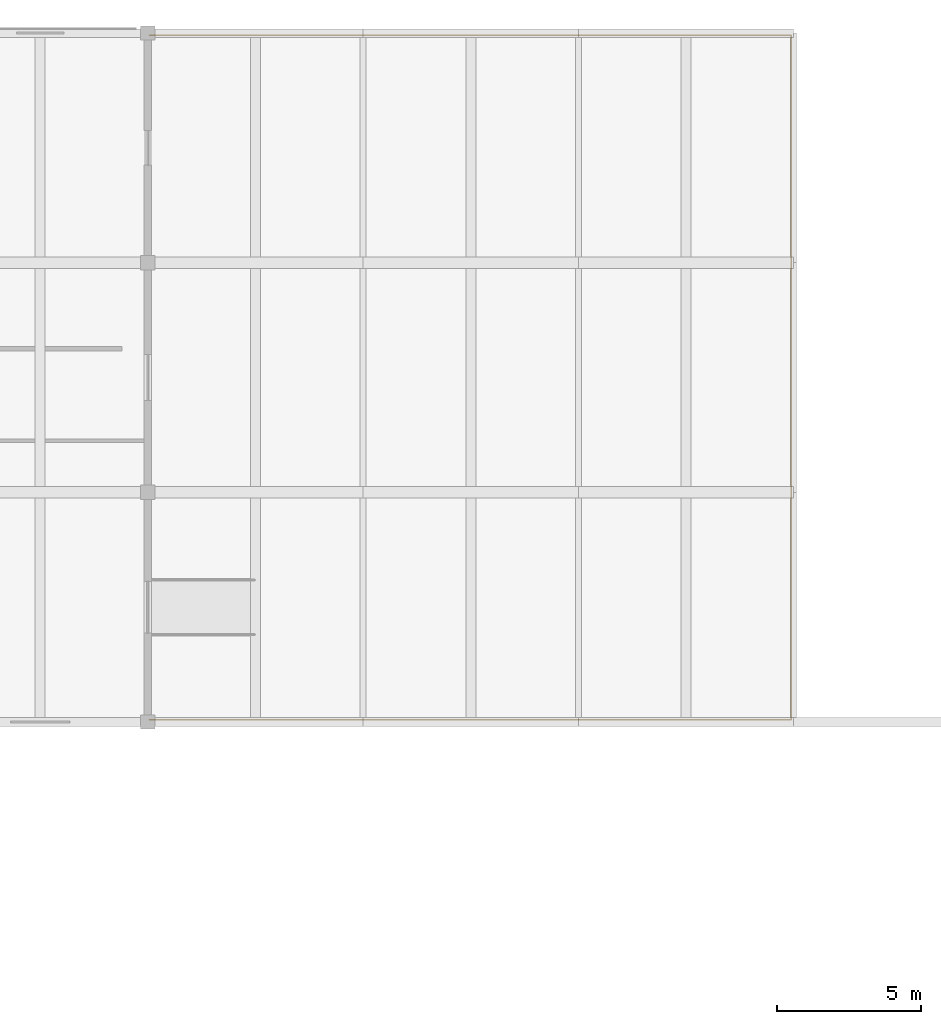
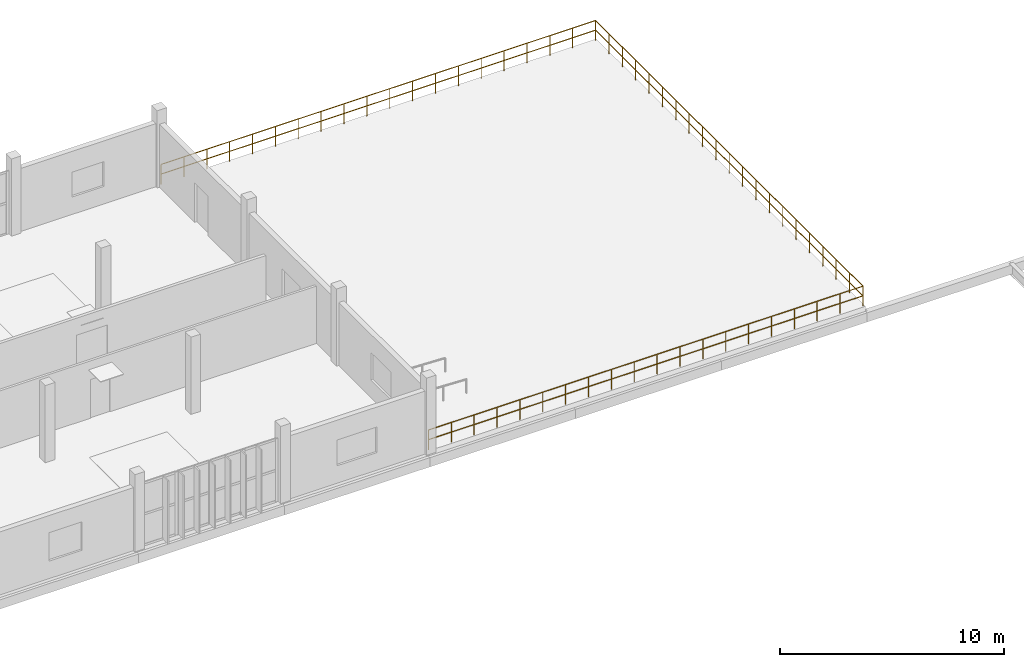
# One storey, part 27 of 27: 1 railing.
"""IFC4 building model written with IfcOpenShell, lengths in metres."""

from ifc_helpers import new_model, si_unit, direction, frame, origin, origin_2d, place, context, subcontext, project, spatial, circle, extrude, material, type_object, element, save


model = new_model("IFC4")

# Units and contexts
model_context = context("Model", 3, precision=1e-05, world=origin(), true_north=direction((0.0, 1.0)))
body_context = subcontext(model_context, "Body", "Model", "MODEL_VIEW")
ifc_project = project(units=[si_unit("LENGTHUNIT", "METRE"), si_unit("AREAUNIT", "SQUARE_METRE"), si_unit("VOLUMEUNIT", "CUBIC_METRE"), si_unit("PLANEANGLEUNIT", "RADIAN"), si_unit("MASSUNIT", "GRAM", prefix="KILO")], contexts=[model_context])

# Site, building, storey
site_placement = place(None, origin())
site = spatial("IfcSite", under=ifc_project, at=site_placement, CompositionType="ELEMENT")
building_placement = place(site_placement, origin())
building = spatial("IfcBuilding", under=site, at=building_placement, Name="Vourika Railside Aquatics Centre", CompositionType="ELEMENT")
storey_placement = place(building_placement, frame((0.0, 0.0, 13.5)))
storey = spatial("IfcBuildingStorey", under=building, at=storey_placement, Name="L03", CompositionType="ELEMENT", Elevation=13.5)

# Railing
ifc_material = material(Name="Duplex stainless steel EN 1.4462", Category="steel")
railing_type = type_object("IfcRailingType", Name="RL-BAL-GLS110", PredefinedType="BALUSTRADE", material=ifc_material)
railing_placement = place(storey_placement, frame((111.050048828125, 92.080078125, 0.0)))
element("IfcRailing", 1, at=railing_placement, inside=storey, type_object=railing_type, Name="L03 Terrace Perimeter Balustrade", PredefinedType="BALUSTRADE", context=body_context, shape_type="SweptSolid", body=[
    extrude(circle(Radius=0.02392578125, at=origin_2d()), frame((0.0, 0.0, 1.076171875), z_axis=(1.0, 0.0, 0.0), x_axis=(0.0, 1.0, 0.0)), (0.0, 0.0, 1.0), 22.369873046875),
    extrude(circle(Radius=0.02392578125, at=origin_2d()), frame((0.0, 0.0, 0.550048828125), z_axis=(1.0, 0.0, 0.0), x_axis=(0.0, 1.0, 0.0)), (0.0, 0.0, 1.0), 22.369873046875),
    extrude(circle(Radius=0.02392578125, at=origin_2d()), frame((22.369873046875, 0.0, 1.076171875), z_axis=(0.0, 1.0, 0.0), x_axis=(-1.0, 0.0, 0.0)), (0.0, 0.0, 1.0), 23.83984375),
    extrude(circle(Radius=0.02392578125, at=origin_2d()), frame((22.369873046875, 0.0, 0.550048828125), z_axis=(0.0, 1.0, 0.0), x_axis=(-1.0, 0.0, 0.0)), (0.0, 0.0, 1.0), 23.83984375),
    extrude(circle(Radius=0.02392578125, at=origin_2d()), frame((22.369873046875, 23.83984375, 1.076171875), z_axis=(-1.0, 0.0, 0.0), x_axis=(0.0, -1.0, 0.0)), (0.0, 0.0, 1.0), 22.369873046875),
    extrude(circle(Radius=0.02392578125, at=origin_2d()), frame((22.369873046875, 23.83984375, 0.550048828125), z_axis=(-1.0, 0.0, 0.0), x_axis=(0.0, -1.0, 0.0)), (0.0, 0.0, 1.0), 22.369873046875),
    extrude(circle(Radius=0.02099609375, at=origin_2d()), origin(), (0.0, 0.0, 1.0), 1.052001953125),
    extrude(circle(Radius=0.02099609375, at=origin_2d()), frame((1.17724609375, 0.0, 0.0)), (0.0, 0.0, 1.0), 1.052001953125),
    extrude(circle(Radius=0.02099609375, at=origin_2d()), frame((2.354736328125, 0.0, 0.0)), (0.0, 0.0, 1.0), 1.052001953125),
    extrude(circle(Radius=0.02099609375, at=origin_2d()), frame((3.531982421875, 0.0, 0.0)), (0.0, 0.0, 1.0), 1.052001953125),
    extrude(circle(Radius=0.02099609375, at=origin_2d()), frame((4.70947265625, 0.0, 0.0)), (0.0, 0.0, 1.0), 1.052001953125),
    extrude(circle(Radius=0.02099609375, at=origin_2d()), frame((5.88671875, 0.0, 0.0)), (0.0, 0.0, 1.0), 1.052001953125),
    extrude(circle(Radius=0.02099609375, at=origin_2d()), frame((7.064208984375, 0.0, 0.0)), (0.0, 0.0, 1.0), 1.052001953125),
    extrude(circle(Radius=0.02099609375, at=origin_2d()), frame((8.241455078125, 0.0, 0.0)), (0.0, 0.0, 1.0), 1.052001953125),
    extrude(circle(Radius=0.02099609375, at=origin_2d()), frame((9.4189453125, 0.0, 0.0)), (0.0, 0.0, 1.0), 1.052001953125),
    extrude(circle(Radius=0.02099609375, at=origin_2d()), frame((10.59619140625, 0.0, 0.0)), (0.0, 0.0, 1.0), 1.052001953125),
    extrude(circle(Radius=0.02099609375, at=origin_2d()), frame((11.773681640625, 0.0, 0.0)), (0.0, 0.0, 1.0), 1.052001953125),
    extrude(circle(Radius=0.02099609375, at=origin_2d()), frame((12.950927734375, 0.0, 0.0)), (0.0, 0.0, 1.0), 1.052001953125),
    extrude(circle(Radius=0.02099609375, at=origin_2d()), frame((14.12841796875, 0.0, 0.0)), (0.0, 0.0, 1.0), 1.052001953125),
    extrude(circle(Radius=0.02099609375, at=origin_2d()), frame((15.3056640625, 0.0, 0.0)), (0.0, 0.0, 1.0), 1.052001953125),
    extrude(circle(Radius=0.02099609375, at=origin_2d()), frame((16.483154296875, 0.0, 0.0)), (0.0, 0.0, 1.0), 1.052001953125),
    extrude(circle(Radius=0.02099609375, at=origin_2d()), frame((17.660400390625, 0.0, 0.0)), (0.0, 0.0, 1.0), 1.052001953125),
    extrude(circle(Radius=0.02099609375, at=origin_2d()), frame((18.837890625, 0.0, 0.0)), (0.0, 0.0, 1.0), 1.052001953125),
    extrude(circle(Radius=0.02099609375, at=origin_2d()), frame((20.01513671875, 0.0, 0.0)), (0.0, 0.0, 1.0), 1.052001953125),
    extrude(circle(Radius=0.02099609375, at=origin_2d()), frame((21.192626953125, 0.0, 0.0)), (0.0, 0.0, 1.0), 1.052001953125),
    extrude(circle(Radius=0.02099609375, at=origin_2d()), frame((22.369873046875, 0.0, 0.0)), (0.0, 0.0, 1.0), 1.052001953125),
    extrude(circle(Radius=0.02099609375, at=origin_2d()), frame((22.369873046875, 1.19189453125, 0.0)), (0.0, 0.0, 1.0), 1.052001953125),
    extrude(circle(Radius=0.02099609375, at=origin_2d()), frame((22.369873046875, 2.384033203125, 0.0)), (0.0, 0.0, 1.0), 1.052001953125),
    extrude(circle(Radius=0.02099609375, at=origin_2d()), frame((22.369873046875, 3.575927734375, 0.0)), (0.0, 0.0, 1.0), 1.052001953125),
    extrude(circle(Radius=0.02099609375, at=origin_2d()), frame((22.369873046875, 4.76806640625, 0.0)), (0.0, 0.0, 1.0), 1.052001953125),
    extrude(circle(Radius=0.02099609375, at=origin_2d()), frame((22.369873046875, 5.9599609375, 0.0)), (0.0, 0.0, 1.0), 1.052001953125),
    extrude(circle(Radius=0.02099609375, at=origin_2d()), frame((22.369873046875, 7.15185546875, 0.0)), (0.0, 0.0, 1.0), 1.052001953125),
    extrude(circle(Radius=0.02099609375, at=origin_2d()), frame((22.369873046875, 8.343994140625, 0.0)), (0.0, 0.0, 1.0), 1.052001953125),
    extrude(circle(Radius=0.02099609375, at=origin_2d()), frame((22.369873046875, 9.535888671875, 0.0)), (0.0, 0.0, 1.0), 1.052001953125),
    extrude(circle(Radius=0.02099609375, at=origin_2d()), frame((22.369873046875, 10.72802734375, 0.0)), (0.0, 0.0, 1.0), 1.052001953125),
    extrude(circle(Radius=0.02099609375, at=origin_2d()), frame((22.369873046875, 11.919921875, 0.0)), (0.0, 0.0, 1.0), 1.052001953125),
    extrude(circle(Radius=0.02099609375, at=origin_2d()), frame((22.369873046875, 13.11181640625, 0.0)), (0.0, 0.0, 1.0), 1.052001953125),
    extrude(circle(Radius=0.02099609375, at=origin_2d()), frame((22.369873046875, 14.303955078125, 0.0)), (0.0, 0.0, 1.0), 1.052001953125),
    extrude(circle(Radius=0.02099609375, at=origin_2d()), frame((22.369873046875, 15.495849609375, 0.0)), (0.0, 0.0, 1.0), 1.052001953125),
    extrude(circle(Radius=0.02099609375, at=origin_2d()), frame((22.369873046875, 16.68798828125, 0.0)), (0.0, 0.0, 1.0), 1.052001953125),
    extrude(circle(Radius=0.02099609375, at=origin_2d()), frame((22.369873046875, 17.8798828125, 0.0)), (0.0, 0.0, 1.0), 1.052001953125),
    extrude(circle(Radius=0.02099609375, at=origin_2d()), frame((22.369873046875, 19.07177734375, 0.0)), (0.0, 0.0, 1.0), 1.052001953125),
    extrude(circle(Radius=0.02099609375, at=origin_2d()), frame((22.369873046875, 20.263916015625, 0.0)), (0.0, 0.0, 1.0), 1.052001953125),
    extrude(circle(Radius=0.02099609375, at=origin_2d()), frame((22.369873046875, 21.455810546875, 0.0)), (0.0, 0.0, 1.0), 1.052001953125),
    extrude(circle(Radius=0.02099609375, at=origin_2d()), frame((22.369873046875, 22.64794921875, 0.0)), (0.0, 0.0, 1.0), 1.052001953125),
    extrude(circle(Radius=0.02099609375, at=origin_2d()), frame((22.369873046875, 23.83984375, 0.0)), (0.0, 0.0, 1.0), 1.052001953125),
    extrude(circle(Radius=0.02099609375, at=origin_2d()), frame((21.192626953125, 23.83984375, 0.0)), (0.0, 0.0, 1.0), 1.052001953125),
    extrude(circle(Radius=0.02099609375, at=origin_2d()), frame((20.01513671875, 23.83984375, 0.0)), (0.0, 0.0, 1.0), 1.052001953125),
    extrude(circle(Radius=0.02099609375, at=origin_2d()), frame((18.837890625, 23.83984375, 0.0)), (0.0, 0.0, 1.0), 1.052001953125),
    extrude(circle(Radius=0.02099609375, at=origin_2d()), frame((17.660400390625, 23.83984375, 0.0)), (0.0, 0.0, 1.0), 1.052001953125),
    extrude(circle(Radius=0.02099609375, at=origin_2d()), frame((16.483154296875, 23.83984375, 0.0)), (0.0, 0.0, 1.0), 1.052001953125),
    extrude(circle(Radius=0.02099609375, at=origin_2d()), frame((15.3056640625, 23.83984375, 0.0)), (0.0, 0.0, 1.0), 1.052001953125),
    extrude(circle(Radius=0.02099609375, at=origin_2d()), frame((14.12841796875, 23.83984375, 0.0)), (0.0, 0.0, 1.0), 1.052001953125),
    extrude(circle(Radius=0.02099609375, at=origin_2d()), frame((12.950927734375, 23.83984375, 0.0)), (0.0, 0.0, 1.0), 1.052001953125),
    extrude(circle(Radius=0.02099609375, at=origin_2d()), frame((11.773681640625, 23.83984375, 0.0)), (0.0, 0.0, 1.0), 1.052001953125),
    extrude(circle(Radius=0.02099609375, at=origin_2d()), frame((10.59619140625, 23.83984375, 0.0)), (0.0, 0.0, 1.0), 1.052001953125),
    extrude(circle(Radius=0.02099609375, at=origin_2d()), frame((9.4189453125, 23.83984375, 0.0)), (0.0, 0.0, 1.0), 1.052001953125),
    extrude(circle(Radius=0.02099609375, at=origin_2d()), frame((8.241455078125, 23.83984375, 0.0)), (0.0, 0.0, 1.0), 1.052001953125),
    extrude(circle(Radius=0.02099609375, at=origin_2d()), frame((7.064208984375, 23.83984375, 0.0)), (0.0, 0.0, 1.0), 1.052001953125),
    extrude(circle(Radius=0.02099609375, at=origin_2d()), frame((5.88671875, 23.83984375, 0.0)), (0.0, 0.0, 1.0), 1.052001953125),
    extrude(circle(Radius=0.02099609375, at=origin_2d()), frame((4.70947265625, 23.83984375, 0.0)), (0.0, 0.0, 1.0), 1.052001953125),
    extrude(circle(Radius=0.02099609375, at=origin_2d()), frame((3.531982421875, 23.83984375, 0.0)), (0.0, 0.0, 1.0), 1.052001953125),
    extrude(circle(Radius=0.02099609375, at=origin_2d()), frame((2.354736328125, 23.83984375, 0.0)), (0.0, 0.0, 1.0), 1.052001953125),
    extrude(circle(Radius=0.02099609375, at=origin_2d()), frame((1.17724609375, 23.83984375, 0.0)), (0.0, 0.0, 1.0), 1.052001953125),
    extrude(circle(Radius=0.02099609375, at=origin_2d()), frame((0.0, 23.83984375, 0.0)), (0.0, 0.0, 1.0), 1.052001953125),
])

save(model, "model.ifc")
